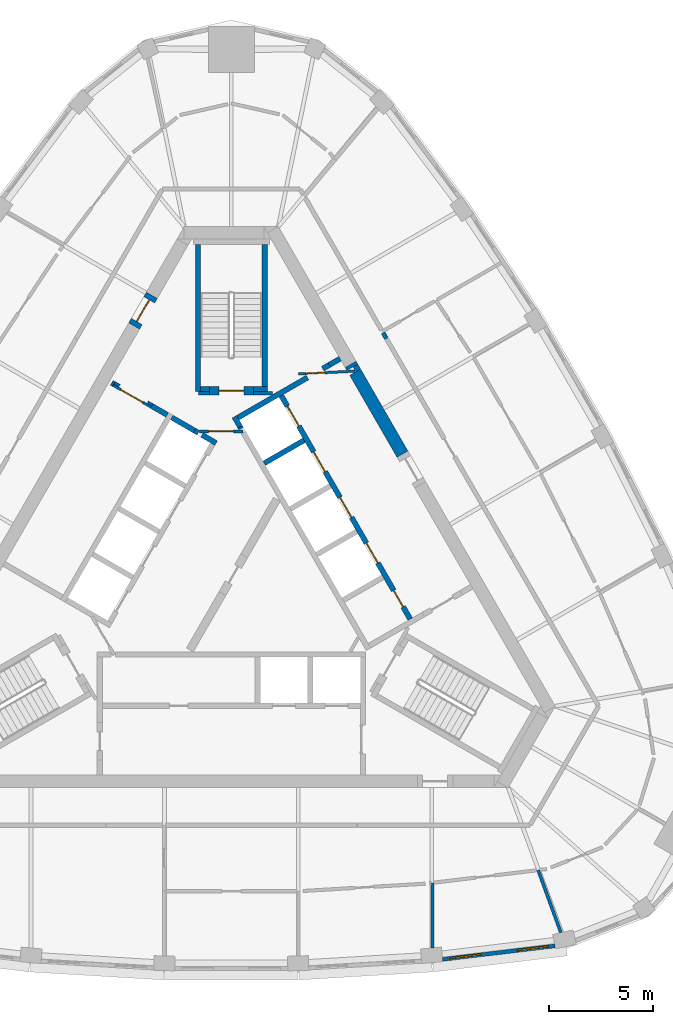
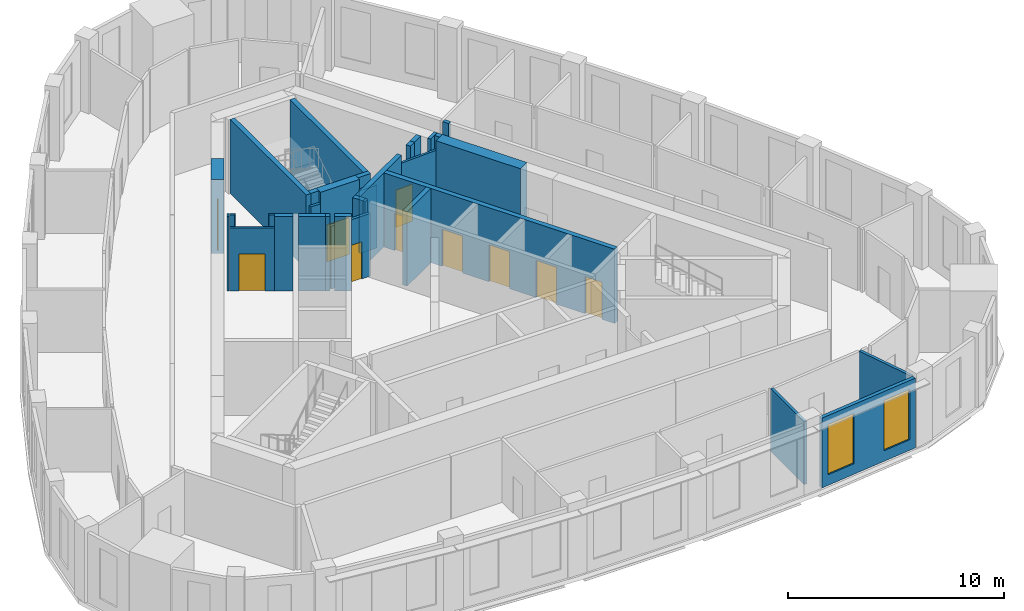
# One storey, part 6 of 10: 32 walls, 10 doors, 2 windows, 12 openings.
"""IFC4 building model written with IfcOpenShell, lengths in metres."""

from ifc_helpers import new_model, si_unit, direction, frame, frame_2d, origin, place, context, subcontext, project, spatial, polyline, rectangle, outline, extrude, material, layer, layer_set, type_object, element, fill, save


model = new_model("IFC4")

# Units and contexts
model_context = context("Model", 3, precision=1e-05, world=origin(), true_north=direction((0.0, 1.0)))
body_context = subcontext(model_context, "Body", "Model", "MODEL_VIEW")
ifc_project = project(units=[si_unit("LENGTHUNIT", "METRE"), si_unit("AREAUNIT", "SQUARE_METRE"), si_unit("VOLUMEUNIT", "CUBIC_METRE"), si_unit("PLANEANGLEUNIT", "RADIAN"), si_unit("MASSUNIT", "GRAM", prefix="KILO")], contexts=[model_context])

# Site, building, storey
site_placement = place(None, origin())
site = spatial("IfcSite", under=ifc_project, at=site_placement, CompositionType="ELEMENT")
building_placement = place(site_placement, origin())
building = spatial("IfcBuilding", under=site, at=building_placement, Name="Mestral Congress Tower", CompositionType="ELEMENT")
storey_placement = place(building_placement, frame((0.0, 0.0, 267.0)))
storey = spatial("IfcBuildingStorey", under=building, at=storey_placement, Name="L62", CompositionType="ELEMENT", Elevation=267.0)

# Walls
ifc_material_1 = material(Name="Fire-rated board partition")
ifc_layer_1 = layer(ifc_material_1, 0.14990234375)
ifc_layer_set_1 = layer_set([ifc_layer_1], Name="Fire-rated board partition")
wall_type_1 = type_object("IfcWallType", Name="Core partition 150", PredefinedType="PARTITIONING", material=ifc_layer_set_1)
wall_1_placement = place(storey_placement, frame((1.050048828125, 8.62548828125, 0.0), z_axis=(0.0, 0.0, 1.0), x_axis=(1.0, 0.0, 0.0)))
element("IfcWall", 1, at=wall_1_placement, inside=storey, type_object=wall_type_1, Name="L62 core wall", PredefinedType="PARTITIONING", context=body_context, shape_type="SweptSolid", body=[
    extrude(rectangle(XDim=0.9287109375, YDim=0.14990234375, at=frame_2d((0.46435546875, 0.0))), origin(), (0.0, 0.0, 1.0), 3.550048828125),
])
wall_2_placement = place(storey_placement, frame((-1.56396484375, 8.62548828125, 0.0), z_axis=(0.0, 0.0, 1.0), x_axis=(1.0, 0.0, 0.0)))
element("IfcWall", 2, at=wall_2_placement, inside=storey, type_object=wall_type_1, Name="L62 core wall", PredefinedType="PARTITIONING", context=body_context, shape_type="SweptSolid", body=[
    extrude(rectangle(XDim=0.513916015625, YDim=0.14990234375, at=frame_2d((0.2568359375, 0.0))), origin(), (0.0, 0.0, 1.0), 3.550048828125),
])

# Wall, opening, door
wall_3_placement = place(storey_placement, frame((-1.534423828125, 6.800048828125, 0.0), z_axis=(0.0, 0.0, 1.0), x_axis=(1.0, 0.0, 0.0)))
wall_3 = element("IfcWall", 3, at=wall_3_placement, inside=storey, type_object=wall_type_1, Name="L62 door wall", PredefinedType="PARTITIONING", context=body_context, shape_type="SweptSolid", body=[
    extrude(rectangle(XDim=2.099853515625, YDim=0.14990234375, at=frame_2d((1.0498046875, 0.0))), origin(), (0.0, 0.0, 1.0), 3.550048828125),
])
opening_1_placement = place(wall_3_placement, frame((0.449951171875, 0.0, 0.0)))
opening_1 = element("IfcOpeningElement", 4, at=opening_1_placement, cuts=wall_3, Name="Opening CD2-FF", PredefinedType="OPENING", context=body_context, shape_type="SweptSolid", body=[
    extrude(rectangle(XDim=1.199951171875, YDim=2.10009765625, at=frame_2d((0.60009765625, 1.050048828125))), frame((0.0, 0.0849609375, 0.0), z_axis=(0.0, -1.0, 0.0), x_axis=(1.0, 0.0, 0.0)), (0.0, 0.0, 1.0), 0.169921875),
])
ifc_material_2 = material(Name="Fire-rated steel door set", Category="steel")
door_type_1 = type_object("IfcDoorType", Name="Core door CD 1200x2100", OperationType="SINGLE_SWING_LEFT", PredefinedType="DOOR", material=ifc_material_2)
door_1_placement = place(opening_1_placement, origin())
door_1 = element("IfcDoor", 5, at=door_1_placement, inside=storey, type_object=door_type_1, Name="Door CD2-FF", OperationType="SINGLE_SWING_LEFT", OverallHeight=2.10009765625, OverallWidth=1.199951171875, PredefinedType="DOOR", context=body_context, shape_type="SweptSolid", body=[
    extrude(rectangle(XDim=1.199951171875, YDim=2.10009765625, at=frame_2d((0.60009765625, 1.050048828125))), frame((0.0, 0.02490234375, 0.0), z_axis=(0.0, -1.0, 0.0), x_axis=(1.0, 0.0, 0.0)), (0.0, 0.0, 1.0), 0.050048828125),
])
fill(opening_1, door_1)

ifc_layer_2 = layer(ifc_material_1, 0.1201171875)
ifc_layer_set_2 = layer_set([ifc_layer_2], Name="Fire-rated board partition")
wall_type_2 = type_object("IfcWallType", Name="Core partition 150 door-wall 120", PredefinedType="PARTITIONING", material=ifc_layer_set_2)
wall_4_placement = place(storey_placement, frame((5.917236328125, 9.684326171875, 0.0), z_axis=(0.0, 0.0, 1.0), x_axis=(-0.998758194515, -0.049820366212, 0.0)))
wall_4 = element("IfcWall", 6, at=wall_4_placement, inside=storey, type_object=wall_type_2, Name="L62 door wall", PredefinedType="PARTITIONING", context=body_context, shape_type="SweptSolid", body=[
    extrude(rectangle(XDim=2.7001953125, YDim=0.119873046875, at=frame_2d((1.35009765625, 0.0))), origin(), (0.0, 0.0, 1.0), 3.550048828125),
])
opening_2_placement = place(wall_4_placement, frame((1.449951171875, 0.0, 0.0)))
opening_2 = element("IfcOpeningElement", 7, at=opening_2_placement, cuts=wall_4, Name="Opening TD2", PredefinedType="OPENING", context=body_context, shape_type="SweptSolid", body=[
    extrude(rectangle(XDim=0.89990234375, YDim=2.10009765625, at=frame_2d((0.449951171875, 1.050048828125))), frame((0.0, 0.06982421875, 0.0), z_axis=(0.0, -1.0, 0.0), x_axis=(1.0, 0.0, 0.0)), (0.0, 0.0, 1.0), 0.139892578125),
])
door_type_2 = type_object("IfcDoorType", Name="Core door SR 900x2100", OperationType="SINGLE_SWING_LEFT", PredefinedType="DOOR", material=ifc_material_2)
door_2_placement = place(opening_2_placement, origin())
door_2 = element("IfcDoor", 8, at=door_2_placement, inside=storey, type_object=door_type_2, Name="Door TD2", OperationType="SINGLE_SWING_LEFT", OverallHeight=2.10009765625, OverallWidth=0.89990234375, PredefinedType="DOOR", context=body_context, shape_type="SweptSolid", body=[
    extrude(rectangle(XDim=0.89990234375, YDim=2.10009765625, at=frame_2d((0.449951171875, 1.050048828125))), frame((0.0, 0.02490234375, 0.0), z_axis=(0.0, -1.0, 0.0), x_axis=(1.0, 0.0, 0.0)), (0.0, 0.0, 1.0), 0.050048828125),
])
fill(opening_2, door_2)

wall_5_placement = place(storey_placement, frame((-5.65869140625, 9.01171875, 0.0), z_axis=(0.0, 0.0, 1.0), x_axis=(0.866009402589, -0.500027713859, 0.0)))
wall_5 = element("IfcWall", 9, at=wall_5_placement, inside=storey, type_object=wall_type_2, Name="L62 door wall", PredefinedType="PARTITIONING", context=body_context, shape_type="SweptSolid", body=[
    extrude(rectangle(XDim=2.10009765625, YDim=0.1201171875, at=frame_2d((1.050048828125, 0.0))), origin(), (0.0, 0.0, 1.0), 3.550048828125),
])
opening_3_placement = place(wall_5_placement, frame((0.449951171875, 0.0, 0.0)))
opening_3 = element("IfcOpeningElement", 10, at=opening_3_placement, cuts=wall_5, Name="Opening LB2-WL2", PredefinedType="OPENING", context=body_context, shape_type="SweptSolid", body=[
    extrude(rectangle(XDim=1.199951171875, YDim=2.10009765625, at=frame_2d((0.60009765625, 1.050048828125))), frame((0.0, 0.070068359375, 0.0), z_axis=(0.0, -1.0, 0.0), x_axis=(1.0, 0.0, 0.0)), (0.0, 0.0, 1.0), 0.14013671875),
])
door_type_3 = type_object("IfcDoorType", Name="Core door LB 1200x2100", OperationType="SINGLE_SWING_LEFT", PredefinedType="DOOR", material=ifc_material_2)
door_3_placement = place(opening_3_placement, origin())
door_3 = element("IfcDoor", 11, at=door_3_placement, inside=storey, type_object=door_type_3, Name="Door LB2-WL2", OperationType="SINGLE_SWING_LEFT", OverallHeight=2.10009765625, OverallWidth=1.199951171875, PredefinedType="DOOR", context=body_context, shape_type="SweptSolid", body=[
    extrude(rectangle(XDim=1.199951171875, YDim=2.10009765625, at=frame_2d((0.60009765625, 1.050048828125))), frame((0.0, 0.02490234375, 0.0), z_axis=(0.0, -1.0, 0.0), x_axis=(1.0, 0.0, 0.0)), (0.0, 0.0, 1.0), 0.050048828125),
])
fill(opening_3, door_3)

# Walls
ifc_material_3 = material(Name="Concrete C60/75", Category="concrete")
ifc_layer_3 = layer(ifc_material_3, 0.60009765625)
ifc_layer_set_3 = layer_set([ifc_layer_3], Name="Concrete C60/75")
wall_type_3 = type_object("IfcWallType", Name="Core wall RC 600", PredefinedType="SOLIDWALL", material=ifc_layer_set_3)
wall_6_placement = place(storey_placement, frame((5.708740234375, 10.01220703125, 0.0), z_axis=(0.0, 0.0, 1.0), x_axis=(0.500399834964, -0.865794435861, 0.0)))
element("IfcWall", 12, at=wall_6_placement, inside=storey, type_object=wall_type_3, Name="L62 core wall", PredefinedType="SOLIDWALL", context=body_context, shape_type="SweptSolid", body=[
    extrude(rectangle(XDim=0.166259765625, YDim=0.60009765625, at=frame_2d((0.0830078125, 0.0))), origin(), (0.0, 0.0, 1.0), 4.199951171875),
])
wall_7_placement = place(storey_placement, frame((5.927978515625, 9.632568359375, 0.0), z_axis=(0.0, 0.0, 1.0), x_axis=(0.499983823482, -0.8660347431, 0.0)))
element("IfcWall", 13, at=wall_7_placement, inside=storey, type_object=wall_type_3, Name="L62 core wall", PredefinedType="SOLIDWALL", context=body_context, shape_type="SweptSolid", body=[
    extrude(rectangle(XDim=4.528076171875, YDim=0.60009765625, at=frame_2d((2.26416015625, 0.0))), origin(), (0.0, 0.0, 1.0), 4.199951171875),
])
placement = place(storey_placement, origin())
element("IfcWall", 14, at=placement, inside=storey, type_object=wall_type_3, Name="L62 core wall", PredefinedType="SOLIDWALL", context=body_context, shape_type="SweptSolid", body=[
    extrude(outline(polyline([(6.052734375, 10.016357421875), (6.186767578125, 9.7841796875), (5.961181640625, 9.654052734375), (5.8271484375, 9.88623046875), (6.052734375, 10.016357421875)])), origin(), (0.0, 0.0, 1.0), 4.199951171875),
])

# Wall, opening, door
wall_9_placement = place(storey_placement, frame((-4.65234375, 11.842041015625, 0.0), z_axis=(0.0, 0.0, 1.0), x_axis=(0.500062241894, 0.865989465428, 0.0)))
wall_9 = element("IfcWall", 15, at=wall_9_placement, inside=storey, type_object=wall_type_3, Name="L62 door wall", PredefinedType="SOLIDWALL", context=body_context, shape_type="SweptSolid", body=[
    extrude(rectangle(XDim=1.699951171875, YDim=0.60009765625, at=frame_2d((0.85009765625, 0.0))), origin(), (0.0, 0.0, 1.0), 4.199951171875),
])
opening_4_placement = place(wall_9_placement, frame((0.25, 0.0, 0.0)))
opening_4 = element("IfcOpeningElement", 16, at=opening_4_placement, cuts=wall_9, Name="Opening XD2", PredefinedType="OPENING", context=body_context, shape_type="SweptSolid", body=[
    extrude(rectangle(XDim=1.199951171875, YDim=2.10009765625, at=frame_2d((0.60009765625, 1.050048828125))), frame((0.0, 0.31005859375, 0.0), z_axis=(0.0, -1.0, 0.0), x_axis=(1.0, 0.0, 0.0)), (0.0, 0.0, 1.0), 0.6201171875),
])
door_type_4 = type_object("IfcDoorType", Name="Core door XD 1200x2100", OperationType="SINGLE_SWING_LEFT", PredefinedType="DOOR", material=ifc_material_2)
door_4_placement = place(opening_4_placement, origin())
door_4 = element("IfcDoor", 17, at=door_4_placement, inside=storey, type_object=door_type_4, Name="Door XD2", OperationType="SINGLE_SWING_LEFT", OverallHeight=2.10009765625, OverallWidth=1.199951171875, PredefinedType="DOOR", context=body_context, shape_type="SweptSolid", body=[
    extrude(rectangle(XDim=1.199951171875, YDim=2.10009765625, at=frame_2d((0.60009765625, 1.050048828125))), frame((0.0, 0.02490234375, 0.0), z_axis=(0.0, -1.0, 0.0), x_axis=(1.0, 0.0, 0.0)), (0.0, 0.0, 1.0), 0.050048828125),
])
fill(opening_4, door_4)

# Wall, openings, windows
ifc_material_4 = material(Name="Precast concrete C40/50 with limestone facing", Category="masonry")
ifc_layer_4 = layer(ifc_material_4, 0.18994140625)
ifc_layer_set_4 = layer_set([ifc_layer_4], Name="Precast concrete C40/50 with limestone facing")
wall_type_4 = type_object("IfcWallType", Name="Facade stone wall 190", PredefinedType="SOLIDWALL", material=ifc_layer_set_4)
wall_10_placement = place(storey_placement, frame((10.110595703125, -18.4677734375, 0.0), z_axis=(0.0, 0.0, 1.0), x_axis=(0.992885582795, 0.119072328769, 0.0)))
wall_10 = element("IfcWall", 18, at=wall_10_placement, inside=storey, type_object=wall_type_4, Name="Facade wall F0-04", PredefinedType="SOLIDWALL", context=body_context, shape_type="SweptSolid", body=[
    extrude(rectangle(XDim=5.4150390625, YDim=0.18994140625, at=frame_2d((2.70751953125, 0.0))), origin(), (0.0, 0.0, 1.0), 3.949951171875),
])
opening_5_placement = place(wall_10_placement, frame((0.357421875, 0.0, 0.60009765625)))
opening_5 = element("IfcOpeningElement", 19, at=opening_5_placement, cuts=wall_10, Name="Opening W6", PredefinedType="OPENING", context=body_context, shape_type="SweptSolid", body=[
    extrude(rectangle(XDim=1.5, YDim=2.85009765625, at=frame_2d((0.75, 1.425048828125))), frame((0.0, 0.10498046875, 0.0), z_axis=(0.0, -1.0, 0.0), x_axis=(1.0, 0.0, 0.0)), (0.0, 0.0, 1.0), 0.2099609375),
])
opening_6_placement = place(wall_10_placement, frame((3.592529296875, 0.0, 0.60009765625)))
opening_6 = element("IfcOpeningElement", 20, at=opening_6_placement, cuts=wall_10, Name="Opening W6", PredefinedType="OPENING", context=body_context, shape_type="SweptSolid", body=[
    extrude(rectangle(XDim=1.5, YDim=2.85009765625, at=frame_2d((0.75, 1.425048828125))), frame((0.0, 0.10498046875, 0.0), z_axis=(0.0, -1.0, 0.0), x_axis=(1.0, 0.0, 0.0)), (0.0, 0.0, 1.0), 0.2099609375),
])
ifc_material_5 = material(Name="Clear low-emissivity double glazing", Category="glass")
window_type = type_object("IfcWindowType", Name="Facade punched window 1500 x 2850 sill 600", PartitioningType="SINGLE_PANEL", PredefinedType="WINDOW", material=ifc_material_5)
window_1_placement = place(opening_5_placement, origin())
window_1 = element("IfcWindow", 21, at=window_1_placement, inside=storey, type_object=window_type, Name="Window F0-04a", OverallHeight=2.85009765625, OverallWidth=1.5, PartitioningType="SINGLE_PANEL", PredefinedType="WINDOW", context=body_context, shape_type="SweptSolid", body=[
    extrude(rectangle(XDim=1.5, YDim=2.85009765625, at=frame_2d((0.75, 1.425048828125))), frame((0.0, 0.044921875, 0.0), z_axis=(0.0, -1.0, 0.0), x_axis=(1.0, 0.0, 0.0)), (0.0, 0.0, 1.0), 0.06005859375),
])
fill(opening_5, window_1)
window_2_placement = place(opening_6_placement, origin())
window_2 = element("IfcWindow", 22, at=window_2_placement, inside=storey, type_object=window_type, Name="Window F0-04b", OverallHeight=2.85009765625, OverallWidth=1.5, PartitioningType="SINGLE_PANEL", PredefinedType="WINDOW", context=body_context, shape_type="SweptSolid", body=[
    extrude(rectangle(XDim=1.5, YDim=2.85009765625, at=frame_2d((0.75, 1.425048828125))), frame((0.0, 0.044921875, 0.0), z_axis=(0.0, -1.0, 0.0), x_axis=(1.0, 0.0, 0.0)), (0.0, 0.0, 1.0), 0.06005859375),
])
fill(opening_6, window_2)

# Walls
ifc_material_6 = material(Name="Plasterboard partition on steel studs", Category="steel")
ifc_layer_5 = layer(ifc_material_6, 0.14990234375)
ifc_layer_set_5 = layer_set([ifc_layer_5], Name="Plasterboard partition on steel studs")
wall_type_5 = type_object("IfcWallType", Name="Office partition 150", PredefinedType="PARTITIONING", material=ifc_layer_set_5)
wall_11_placement = place(storey_placement, frame((9.62744140625, -14.80419921875, 0.0), z_axis=(0.0, 0.0, 1.0), x_axis=(0.0, -1.0, 0.0)))
element("IfcWall", 23, at=wall_11_placement, inside=storey, type_object=wall_type_5, Name="Partition", PredefinedType="PARTITIONING", context=body_context, shape_type="SweptSolid", body=[
    extrude(rectangle(XDim=3.114501953125, YDim=0.14990234375, at=frame_2d((1.55712890625, 0.0))), origin(), (0.0, 0.0, 1.0), 3.550048828125),
])
wall_12_placement = place(storey_placement, frame((14.68603515625, -14.19775390625, 0.0), z_axis=(0.0, 0.0, 1.0), x_axis=(0.341804623966, -0.939771035431, 0.0)))
element("IfcWall", 24, at=wall_12_placement, inside=storey, type_object=wall_type_5, Name="Partition", PredefinedType="PARTITIONING", context=body_context, shape_type="SweptSolid", body=[
    extrude(rectangle(XDim=3.184326171875, YDim=0.14990234375, at=frame_2d((1.59228515625, 0.0))), origin(), (0.0, 0.0, 1.0), 3.550048828125),
])
ifc_material_7 = material(Name="Dense masonry wall, plastered", Category="masonry")
ifc_layer_6 = layer(ifc_material_7, 0.199951171875)
ifc_layer_set_6 = layer_set([ifc_layer_6], Name="Dense masonry wall, plastered")
wall_type_6 = type_object("IfcWallType", Name="Office tenancy wall 200", PredefinedType="PARTITIONING", material=ifc_layer_set_6)
wall_13_placement = place(storey_placement, frame((7.420654296875, 11.2470703125, 0.0), z_axis=(0.0, 0.0, 1.0), x_axis=(-0.500303403544, 0.865850162789, 0.0)))
element("IfcWall", 25, at=wall_13_placement, inside=storey, type_object=wall_type_6, Name="Tenancy wall", PredefinedType="PARTITIONING", context=body_context, shape_type="SweptSolid", body=[
    extrude(rectangle(XDim=0.315185546875, YDim=0.199951171875, at=frame_2d((0.15771484375, 0.0))), origin(), (0.0, 0.0, 1.0), 3.550048828125),
])
ifc_layer_7 = layer(ifc_material_3, 0.25)
ifc_layer_set_7 = layer_set([ifc_layer_7], Name="Concrete C60/75")
wall_type_7 = type_object("IfcWallType", Name="Shaft wall RC 250", PredefinedType="SOLIDWALL", material=ifc_layer_set_7)
wall_14_placement = place(storey_placement, frame((0.473388671875, 6.93017578125, 0.0), z_axis=(0.0, 0.0, 1.0), x_axis=(-0.49972245349, 0.866185586049, 0.0)))
element("IfcWall", 26, at=wall_14_placement, inside=storey, type_object=wall_type_7, Name="L62 core wall", PredefinedType="SOLIDWALL", context=body_context, shape_type="SweptSolid", body=[
    extrude(rectangle(XDim=0.10986328125, YDim=0.25, at=frame_2d((0.054931640625, 0.0))), origin(), (0.0, 0.0, 1.0), 4.199951171875),
])
wall_15_placement = place(storey_placement, frame((0.41748046875, 7.027099609375, 0.0), z_axis=(0.0, 0.0, 1.0), x_axis=(-0.500210807569, 0.865903659763, 0.0)))
element("IfcWall", 27, at=wall_15_placement, inside=storey, type_object=wall_type_7, Name="L62 core wall", PredefinedType="SOLIDWALL", context=body_context, shape_type="SweptSolid", body=[
    extrude(rectangle(XDim=0.548095703125, YDim=0.25, at=frame_2d((0.27392578125, 0.0))), origin(), (0.0, 0.0, 1.0), 4.199951171875),
])
wall_16_placement = place(storey_placement, frame((3.647216796875, 9.38037109375, 0.0), z_axis=(0.0, 0.0, 1.0), x_axis=(-0.866025015791, -0.500000672024, 0.0)))
element("IfcWall", 28, at=wall_16_placement, inside=storey, type_object=wall_type_7, Name="L62 core wall", PredefinedType="SOLIDWALL", context=body_context, shape_type="SweptSolid", body=[
    extrude(rectangle(XDim=3.8486328125, YDim=0.25, at=frame_2d((1.92431640625, 0.0))), origin(), (0.0, 0.0, 1.0), 4.199951171875),
])
wall_17_placement = place(storey_placement, frame((1.57421875, 5.273681640625, 0.0), z_axis=(0.0, 0.0, 1.0), x_axis=(0.866028486751, 0.499994660107, 0.0)))
element("IfcWall", 29, at=wall_17_placement, inside=storey, type_object=wall_type_7, Name="L62 core wall", PredefinedType="SOLIDWALL", context=body_context, shape_type="SweptSolid", body=[
    extrude(rectangle(XDim=2.19970703125, YDim=0.25, at=frame_2d((1.099853515625, 0.0))), origin(), (0.0, 0.0, 1.0), 4.199951171875),
])
wall_18_placement = place(storey_placement, frame((4.6875, 9.98095703125, 0.0), z_axis=(0.0, 0.0, 1.0), x_axis=(-0.865974312977, -0.500088481434, 0.0)))
element("IfcWall", 30, at=wall_18_placement, inside=storey, type_object=wall_type_7, Name="L62 core wall", PredefinedType="SOLIDWALL", context=body_context, shape_type="SweptSolid", body=[
    extrude(rectangle(XDim=0.36572265625, YDim=0.25, at=frame_2d((0.182861328125, 0.0))), origin(), (0.0, 0.0, 1.0), 4.199951171875),
])
wall_19_placement = place(storey_placement, frame((4.689208984375, 9.98193359375, 0.0), z_axis=(0.0, 0.0, 1.0), x_axis=(0.865947592822, 0.500134748329, 0.0)))
element("IfcWall", 31, at=wall_19_placement, inside=storey, type_object=wall_type_7, Name="L62 core wall", PredefinedType="SOLIDWALL", context=body_context, shape_type="SweptSolid", body=[
    extrude(rectangle(XDim=0.597900390625, YDim=0.25, at=frame_2d((0.298828125, 0.0))), origin(), (0.0, 0.0, 1.0), 4.199951171875),
])
wall_20_placement = place(storey_placement, frame((-1.75830078125, 6.834716796875, 0.0), z_axis=(0.0, 0.0, 1.0), x_axis=(0.865982457891, -0.500074377092, 0.0)))
element("IfcWall", 32, at=wall_20_placement, inside=storey, type_object=wall_type_7, Name="L62 core wall", PredefinedType="SOLIDWALL", context=body_context, shape_type="SweptSolid", body=[
    extrude(rectangle(XDim=0.2001953125, YDim=0.25, at=frame_2d((0.10009765625, 0.0))), origin(), (0.0, 0.0, 1.0), 4.199951171875),
])
wall_21_placement = place(storey_placement, frame((-1.760009765625, 6.835693359375, 0.0), z_axis=(0.0, 0.0, 1.0), x_axis=(-0.865952863304, 0.500125622755, 0.0)))
element("IfcWall", 33, at=wall_21_placement, inside=storey, type_object=wall_type_7, Name="L62 core wall", PredefinedType="SOLIDWALL", context=body_context, shape_type="SweptSolid", body=[
    extrude(rectangle(XDim=1.258056640625, YDim=0.25, at=frame_2d((0.62890625, 0.0))), origin(), (0.0, 0.0, 1.0), 4.199951171875),
])
wall_22_placement = place(storey_placement, frame((-0.7275390625, 6.23974609375, 0.0), z_axis=(0.0, 0.0, 1.0), x_axis=(-0.865955664968, 0.500120771724, 0.0)))
element("IfcWall", 34, at=wall_22_placement, inside=storey, type_object=wall_type_7, Name="L62 core wall", PredefinedType="SOLIDWALL", context=body_context, shape_type="SweptSolid", body=[
    extrude(rectangle(XDim=0.778076171875, YDim=0.25, at=frame_2d((0.38916015625, 0.0))), origin(), (0.0, 0.0, 1.0), 4.199951171875),
])
wall_23_placement = place(storey_placement, frame((-5.724609375, 9.124755859375, 0.0), z_axis=(0.0, 0.0, 1.0), x_axis=(0.866185586049, -0.49972245349, 0.0)))
element("IfcWall", 35, at=wall_23_placement, inside=storey, type_object=wall_type_7, Name="L62 core wall", PredefinedType="SOLIDWALL", context=body_context, shape_type="SweptSolid", body=[
    extrude(rectangle(XDim=0.10986328125, YDim=0.25, at=frame_2d((0.054931640625, 0.0))), origin(), (0.0, 0.0, 1.0), 4.199951171875),
])
wall_24_placement = place(storey_placement, frame((-3.06591796875, 7.58984375, 0.0), z_axis=(0.0, 0.0, 1.0), x_axis=(-0.866081358704, 0.49990307071, 0.0)))
element("IfcWall", 36, at=wall_24_placement, inside=storey, type_object=wall_type_7, Name="L62 core wall", PredefinedType="SOLIDWALL", context=body_context, shape_type="SweptSolid", body=[
    extrude(rectangle(XDim=0.858154296875, YDim=0.25, at=frame_2d((0.42919921875, 0.0))), origin(), (0.0, 0.0, 1.0), 4.199951171875),
])
element("IfcWall", 37, at=placement, inside=storey, type_object=wall_type_7, Name="L62 core wall", PredefinedType="SOLIDWALL", context=body_context, shape_type="SweptSolid", body=[
    extrude(outline(polyline([(-3.748291015625, 8.1279296875), (-3.813232421875, 8.015380859375), (-4.026611328125, 8.138671875), (-4.0166015625, 8.156005859375), (-4.007568359375, 8.17333984375), (-4.000244140625, 8.191650390625), (-3.994873046875, 8.21044921875), (-3.991455078125, 8.229736328125), (-3.98974609375, 8.24951171875), (-3.989990234375, 8.267578125), (-3.748291015625, 8.1279296875)])), origin(), (0.0, 0.0, 1.0), 4.199951171875),
])
element("IfcWall", 38, at=placement, inside=storey, type_object=wall_type_7, Name="L62 core wall", PredefinedType="SOLIDWALL", context=body_context, shape_type="SweptSolid", body=[
    extrude(outline(polyline([(-5.688720703125, 8.959716796875), (-5.690185546875, 8.960693359375), (-5.565185546875, 9.177001953125), (-5.318603515625, 9.03466796875), (-5.334716796875, 9.02587890625), (-5.3505859375, 9.0146484375), (-5.36572265625, 9.001953125), (-5.37939453125, 8.98779296875), (-5.3916015625, 8.972412109375), (-5.402099609375, 8.955810546875), (-5.412109375, 8.938720703125), (-5.628662109375, 9.063720703125), (-5.628662109375, 9.063720703125), (-5.688720703125, 8.959716796875)])), origin(), (0.0, 0.0, 1.0), 4.199951171875),
])

# Wall, openings, doors
wall_27_placement = place(storey_placement, frame((8.565185546875, -2.185302734375, 0.0), z_axis=(0.0, 0.0, 1.0), x_axis=(-0.499997954832, 0.866026584559, 0.0)))
wall_27 = element("IfcWall", 39, at=wall_27_placement, inside=storey, type_object=wall_type_7, Name="L62 door wall", PredefinedType="SOLIDWALL", context=body_context, shape_type="SweptSolid", body=[
    extrude(rectangle(XDim=12.35009765625, YDim=0.25, at=frame_2d((6.175048828125, 0.0))), origin(), (0.0, 0.0, 1.0), 4.199951171875),
])
opening_7_placement = place(wall_27_placement, frame((0.68505859375, 0.0, 0.0)))
opening_7 = element("IfcOpeningElement", 40, at=opening_7_placement, cuts=wall_27, Name="Opening SR-NEB1", PredefinedType="OPENING", context=body_context, shape_type="SweptSolid", body=[
    extrude(rectangle(XDim=0.89990234375, YDim=2.10009765625, at=frame_2d((0.449951171875, 1.050048828125))), frame((0.0, 0.135009765625, 0.0), z_axis=(0.0, -1.0, 0.0), x_axis=(1.0, 0.0, 0.0)), (0.0, 0.0, 1.0), 0.27001953125),
])
opening_8_placement = place(wall_27_placement, frame((3.10498046875, 0.0, 0.0)))
opening_8 = element("IfcOpeningElement", 41, at=opening_8_placement, cuts=wall_27, Name="Opening LD-NEB2", PredefinedType="OPENING", context=body_context, shape_type="SweptSolid", body=[
    extrude(rectangle(XDim=1.10009765625, YDim=2.10009765625, at=frame_2d((0.550048828125, 1.050048828125))), frame((0.0, 0.135009765625, 0.0), z_axis=(0.0, -1.0, 0.0), x_axis=(1.0, 0.0, 0.0)), (0.0, 0.0, 1.0), 0.27001953125),
])
opening_9_placement = place(wall_27_placement, frame((5.625, 0.0, 0.0)))
opening_9 = element("IfcOpeningElement", 42, at=opening_9_placement, cuts=wall_27, Name="Opening LD-NEB3", PredefinedType="OPENING", context=body_context, shape_type="SweptSolid", body=[
    extrude(rectangle(XDim=1.10009765625, YDim=2.10009765625, at=frame_2d((0.550048828125, 1.050048828125))), frame((0.0, 0.135009765625, 0.0), z_axis=(0.0, -1.0, 0.0), x_axis=(1.0, 0.0, 0.0)), (0.0, 0.0, 1.0), 0.27001953125),
])
opening_10_placement = place(wall_27_placement, frame((8.14501953125, 0.0, 0.0)))
opening_10 = element("IfcOpeningElement", 43, at=opening_10_placement, cuts=wall_27, Name="Opening LD-NEB4", PredefinedType="OPENING", context=body_context, shape_type="SweptSolid", body=[
    extrude(rectangle(XDim=1.10009765625, YDim=2.10009765625, at=frame_2d((0.550048828125, 1.050048828125))), frame((0.0, 0.135009765625, 0.0), z_axis=(0.0, -1.0, 0.0), x_axis=(1.0, 0.0, 0.0)), (0.0, 0.0, 1.0), 0.27001953125),
])
opening_11_placement = place(wall_27_placement, frame((10.6650390625, 0.0, 0.0)))
opening_11 = element("IfcOpeningElement", 44, at=opening_11_placement, cuts=wall_27, Name="Opening LD-NEB5", PredefinedType="OPENING", context=body_context, shape_type="SweptSolid", body=[
    extrude(rectangle(XDim=1.10009765625, YDim=2.10009765625, at=frame_2d((0.550048828125, 1.050048828125))), frame((0.0, 0.135009765625, 0.0), z_axis=(0.0, -1.0, 0.0), x_axis=(1.0, 0.0, 0.0)), (0.0, 0.0, 1.0), 0.27001953125),
])
door_type_5 = type_object("IfcDoorType", Name="Core door LD 1100x2100", OperationType="DOUBLE_DOOR_SLIDING", PredefinedType="DOOR", material=ifc_material_2)
door_5_placement = place(opening_8_placement, origin())
door_5 = element("IfcDoor", 45, at=door_5_placement, inside=storey, type_object=door_type_5, Name="Door LD-NEB2", OperationType="DOUBLE_DOOR_SLIDING", OverallHeight=2.10009765625, OverallWidth=1.10009765625, PredefinedType="DOOR", context=body_context, shape_type="SweptSolid", body=[
    extrude(rectangle(XDim=1.10009765625, YDim=2.10009765625, at=frame_2d((0.550048828125, 1.050048828125))), frame((0.0, 0.02490234375, 0.0), z_axis=(0.0, -1.0, 0.0), x_axis=(1.0, 0.0, 0.0)), (0.0, 0.0, 1.0), 0.050048828125),
])
fill(opening_8, door_5)
door_6_placement = place(opening_9_placement, origin())
door_6 = element("IfcDoor", 46, at=door_6_placement, inside=storey, type_object=door_type_5, Name="Door LD-NEB3", OperationType="DOUBLE_DOOR_SLIDING", OverallHeight=2.10009765625, OverallWidth=1.10009765625, PredefinedType="DOOR", context=body_context, shape_type="SweptSolid", body=[
    extrude(rectangle(XDim=1.10009765625, YDim=2.10009765625, at=frame_2d((0.550048828125, 1.050048828125))), frame((0.0, 0.02490234375, 0.0), z_axis=(0.0, -1.0, 0.0), x_axis=(1.0, 0.0, 0.0)), (0.0, 0.0, 1.0), 0.050048828125),
])
fill(opening_9, door_6)
door_7_placement = place(opening_10_placement, origin())
door_7 = element("IfcDoor", 47, at=door_7_placement, inside=storey, type_object=door_type_5, Name="Door LD-NEB4", OperationType="DOUBLE_DOOR_SLIDING", OverallHeight=2.10009765625, OverallWidth=1.10009765625, PredefinedType="DOOR", context=body_context, shape_type="SweptSolid", body=[
    extrude(rectangle(XDim=1.10009765625, YDim=2.10009765625, at=frame_2d((0.550048828125, 1.050048828125))), frame((0.0, 0.02490234375, 0.0), z_axis=(0.0, -1.0, 0.0), x_axis=(1.0, 0.0, 0.0)), (0.0, 0.0, 1.0), 0.050048828125),
])
fill(opening_10, door_7)
door_8_placement = place(opening_11_placement, origin())
door_8 = element("IfcDoor", 48, at=door_8_placement, inside=storey, type_object=door_type_5, Name="Door LD-NEB5", OperationType="DOUBLE_DOOR_SLIDING", OverallHeight=2.10009765625, OverallWidth=1.10009765625, PredefinedType="DOOR", context=body_context, shape_type="SweptSolid", body=[
    extrude(rectangle(XDim=1.10009765625, YDim=2.10009765625, at=frame_2d((0.550048828125, 1.050048828125))), frame((0.0, 0.02490234375, 0.0), z_axis=(0.0, -1.0, 0.0), x_axis=(1.0, 0.0, 0.0)), (0.0, 0.0, 1.0), 0.050048828125),
])
fill(opening_11, door_8)
door_9_placement = place(opening_7_placement, origin())
door_9 = element("IfcDoor", 49, at=door_9_placement, inside=storey, type_object=door_type_2, Name="Door SR-NEB1", OperationType="SINGLE_SWING_LEFT", OverallHeight=2.10009765625, OverallWidth=0.89990234375, PredefinedType="DOOR", context=body_context, shape_type="SweptSolid", body=[
    extrude(rectangle(XDim=0.89990234375, YDim=2.10009765625, at=frame_2d((0.449951171875, 1.050048828125))), frame((0.0, 0.02490234375, 0.0), z_axis=(0.0, -1.0, 0.0), x_axis=(1.0, 0.0, 0.0)), (0.0, 0.0, 1.0), 0.050048828125),
])
fill(opening_7, door_9)

# Walls
ifc_layer_8 = layer(ifc_material_3, 0.25)
ifc_layer_set_8 = layer_set([ifc_layer_8], Name="Concrete C60/75")
wall_type_8 = type_object("IfcWallType", Name="Stair wall RC 250", PredefinedType="SOLIDWALL", material=ifc_layer_set_8)
wall_28_placement = place(storey_placement, frame((1.60009765625, 8.949951171875, 0.0), z_axis=(0.0, 0.0, 1.0), x_axis=(0.0, 1.0, 0.0)))
element("IfcWall", 50, at=wall_28_placement, inside=storey, type_object=wall_type_8, Name="L62 core wall", PredefinedType="SOLIDWALL", context=body_context, shape_type="SweptSolid", body=[
    extrude(rectangle(XDim=6.800048828125, YDim=0.25, at=frame_2d((3.39990234375, 0.0))), origin(), (0.0, 0.0, 1.0), 4.199951171875),
])
wall_29_placement = place(storey_placement, frame((1.050048828125, 8.824951171875, 0.0), z_axis=(0.0, 0.0, 1.0), x_axis=(1.0, 0.0, 0.0)))
element("IfcWall", 51, at=wall_29_placement, inside=storey, type_object=wall_type_8, Name="L62 core wall", PredefinedType="SOLIDWALL", context=body_context, shape_type="SweptSolid", body=[
    extrude(rectangle(XDim=0.675048828125, YDim=0.25, at=frame_2d((0.33740234375, 0.0))), origin(), (0.0, 0.0, 1.0), 4.199951171875),
])
wall_30_placement = place(storey_placement, frame((-1.60009765625, 8.699951171875, 0.0), z_axis=(0.0, 0.0, 1.0), x_axis=(0.0, 1.0, 0.0)))
element("IfcWall", 52, at=wall_30_placement, inside=storey, type_object=wall_type_8, Name="L62 core wall", PredefinedType="SOLIDWALL", context=body_context, shape_type="SweptSolid", body=[
    extrude(rectangle(XDim=7.050048828125, YDim=0.25, at=frame_2d((3.52490234375, 0.0))), origin(), (0.0, 0.0, 1.0), 4.199951171875),
])
wall_31_placement = place(storey_placement, frame((-1.47509765625, 8.824951171875, 0.0), z_axis=(0.0, 0.0, 1.0), x_axis=(1.0, 0.0, 0.0)))
element("IfcWall", 53, at=wall_31_placement, inside=storey, type_object=wall_type_8, Name="L62 core wall", PredefinedType="SOLIDWALL", context=body_context, shape_type="SweptSolid", body=[
    extrude(rectangle(XDim=0.425048828125, YDim=0.25, at=frame_2d((0.21240234375, 0.0))), origin(), (0.0, 0.0, 1.0), 4.199951171875),
])

# Wall, opening, door
ifc_layer_9 = layer(ifc_material_3, 0.39990234375)
ifc_layer_set_9 = layer_set([ifc_layer_9], Name="Concrete C60/75")
wall_type_9 = type_object("IfcWallType", Name="Stair wall RC 250 door-wall 400", PredefinedType="SOLIDWALL", material=ifc_layer_set_9)
wall_32_placement = place(storey_placement, frame((1.050048828125, 8.75, 0.0), z_axis=(0.0, 0.0, 1.0), x_axis=(-1.0, 0.0, 0.0)))
wall_32 = element("IfcWall", 54, at=wall_32_placement, inside=storey, type_object=wall_type_9, Name="L62 door wall", PredefinedType="SOLIDWALL", context=body_context, shape_type="SweptSolid", body=[
    extrude(rectangle(XDim=2.10009765625, YDim=0.39990234375, at=frame_2d((1.050048828125, 0.0))), origin(), (0.0, 0.0, 1.0), 4.199951171875),
])
opening_12_placement = place(wall_32_placement, frame((0.449951171875, 0.0, 0.0)))
opening_12 = element("IfcOpeningElement", 55, at=opening_12_placement, cuts=wall_32, Name="Opening ST-D2", PredefinedType="OPENING", context=body_context, shape_type="SweptSolid", body=[
    extrude(rectangle(XDim=1.199951171875, YDim=2.10009765625, at=frame_2d((0.60009765625, 1.050048828125))), frame((0.0, 0.2099609375, 0.0), z_axis=(0.0, -1.0, 0.0), x_axis=(1.0, 0.0, 0.0)), (0.0, 0.0, 1.0), 0.419921875),
])
door_type_6 = type_object("IfcDoorType", Name="Core door ST 1200x2100", OperationType="SINGLE_SWING_LEFT", PredefinedType="DOOR", material=ifc_material_2)
door_10_placement = place(opening_12_placement, origin())
door_10 = element("IfcDoor", 56, at=door_10_placement, inside=storey, type_object=door_type_6, Name="Door ST-D2", OperationType="SINGLE_SWING_LEFT", OverallHeight=2.10009765625, OverallWidth=1.199951171875, PredefinedType="DOOR", context=body_context, shape_type="SweptSolid", body=[
    extrude(rectangle(XDim=1.199951171875, YDim=2.10009765625, at=frame_2d((0.60009765625, 1.050048828125))), frame((0.0, 0.02490234375, 0.0), z_axis=(0.0, -1.0, 0.0), x_axis=(1.0, 0.0, 0.0)), (0.0, 0.0, 1.0), 0.050048828125),
])
fill(opening_12, door_10)

save(model, "model.ifc")
